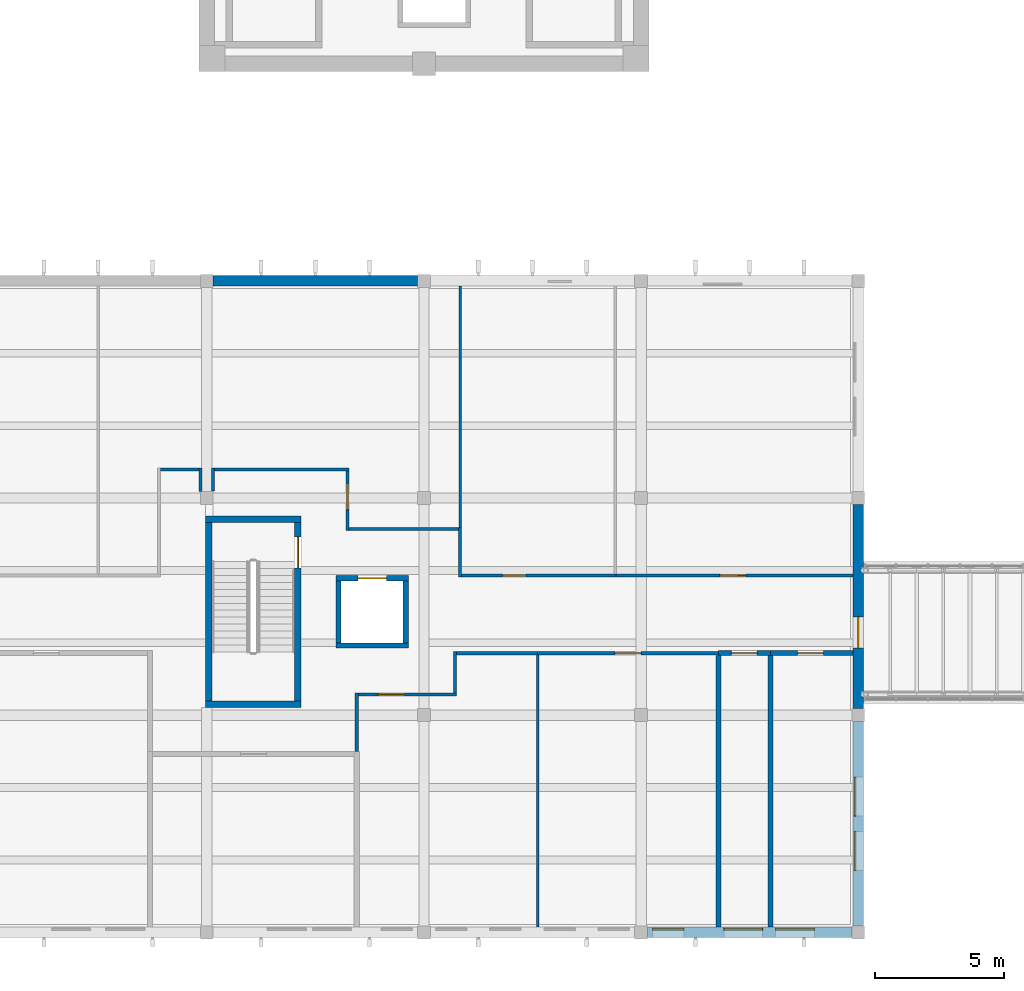
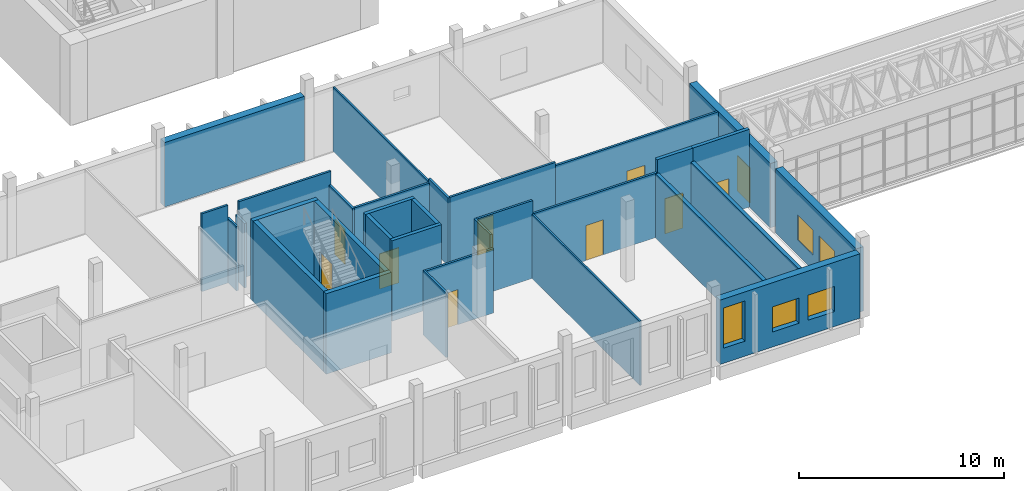
# One storey, part 59 of 119: 32 walls, 10 doors, 5 windows, 15 openings.
"""IFC4 building model written with IfcOpenShell, lengths in metres."""

from ifc_helpers import new_model, si_unit, direction, frame, frame_2d, origin, place, context, subcontext, project, spatial, rectangle, extrude, material, layer, layer_set, type_object, element, fill, save


model = new_model("IFC4")

# Units and contexts
model_context = context("Model", 3, precision=1e-05, world=origin(), true_north=direction((0.0, 1.0)))
body_context = subcontext(model_context, "Body", "Model", "MODEL_VIEW")
ifc_project = project(units=[si_unit("LENGTHUNIT", "METRE"), si_unit("AREAUNIT", "SQUARE_METRE"), si_unit("VOLUMEUNIT", "CUBIC_METRE"), si_unit("PLANEANGLEUNIT", "RADIAN"), si_unit("MASSUNIT", "GRAM", prefix="KILO")], contexts=[model_context])

# Site, building, storey
site_placement = place(None, origin())
site = spatial("IfcSite", under=ifc_project, at=site_placement, CompositionType="ELEMENT")
building_placement = place(site_placement, origin())
building = spatial("IfcBuilding", under=site, at=building_placement, Name="Larchfold Concert Hall", CompositionType="ELEMENT")
storey_placement = place(building_placement, frame((0.0, 0.0, 4.800048828125)))
storey = spatial("IfcBuildingStorey", under=building, at=storey_placement, Name="L01", CompositionType="ELEMENT", Elevation=4.800048828125)

# Wall
ifc_material_1 = material(Name="Plasterboard partition on steel studs", Category="steel")
ifc_layer_1 = layer(ifc_material_1, 0.199951171875)
ifc_layer_set_1 = layer_set([ifc_layer_1], Name="Plasterboard partition on steel studs")
wall_type_1 = type_object("IfcWallType", Name="Acoustic partition 200", PredefinedType="PARTITIONING", material=ifc_layer_set_1)
wall_1_placement = place(storey_placement, frame((56.0, 0.800048828125, 0.0), z_axis=(0.0, 0.0, 1.0), x_axis=(0.0, 1.0, 0.0)))
element("IfcWall", 1, at=wall_1_placement, inside=storey, type_object=wall_type_1, Name="Partition IW0092", PredefinedType="PARTITIONING", context=body_context, shape_type="SweptSolid", body=[
    extrude(rectangle(XDim=10.5, YDim=0.199951171875, at=frame_2d((5.25, 0.0))), origin(), (0.0, 0.0, 1.0), 3.840087890625),
])

# Wall, opening, door
wall_2_placement = place(storey_placement, frame((56.0, 11.39990234375, 0.0), z_axis=(0.0, 0.0, 1.0), x_axis=(1.0, 0.0, 0.0)))
wall_2 = element("IfcWall", 2, at=wall_2_placement, inside=storey, type_object=wall_type_1, Name="Partition IW0093", PredefinedType="PARTITIONING", context=body_context, shape_type="SweptSolid", body=[
    extrude(rectangle(XDim=3.199951171875, YDim=0.199951171875, at=frame_2d((1.60009765625, 0.0))), origin(), (0.0, 0.0, 1.0), 4.639892578125),
])
opening_1_placement = place(wall_2_placement, frame((1.050048828125, 0.0, 0.0)))
opening_1 = element("IfcOpeningElement", 3, at=opening_1_placement, cuts=wall_2, Name="Opening D-L01-143", PredefinedType="OPENING", context=body_context, shape_type="SweptSolid", body=[
    extrude(rectangle(XDim=1.0, YDim=2.10009765625, at=frame_2d((0.5, 1.050048828125))), frame((0.0, 0.10986328125, 0.0), z_axis=(0.0, -1.0, 0.0), x_axis=(1.0, 0.0, 0.0)), (0.0, 0.0, 1.0), 0.219970703125),
])
ifc_material_2 = material(Name="Timber door leaf", Category="wood")
door_type_1 = type_object("IfcDoorType", Name="Practice and studio door, acoustic 1000 x 2100 FD30S", OperationType="SINGLE_SWING_LEFT", PredefinedType="DOOR", material=ifc_material_2)
door_1_placement = place(opening_1_placement, origin())
door_1 = element("IfcDoor", 4, at=door_1_placement, inside=storey, type_object=door_type_1, Name="Door D-L01-143", OperationType="SINGLE_SWING_RIGHT", OverallHeight=2.10009765625, OverallWidth=1.0, PredefinedType="DOOR", context=body_context, shape_type="SweptSolid", body=[
    extrude(rectangle(XDim=1.0, YDim=2.10009765625, at=frame_2d((0.5, 1.050048828125))), frame((0.0, 0.02490234375, 0.0), z_axis=(0.0, -1.0, 0.0), x_axis=(1.0, 0.0, 0.0)), (0.0, 0.0, 1.0), 0.050048828125),
])
fill(opening_1, door_1)

# Wall
wall_3_placement = place(storey_placement, frame((54.0, 11.300048828125, 0.0), z_axis=(0.0, 0.0, 1.0), x_axis=(0.0, -1.0, 0.0)))
element("IfcWall", 5, at=wall_3_placement, inside=storey, type_object=wall_type_1, Name="Partition IW0116", PredefinedType="PARTITIONING", context=body_context, shape_type="SweptSolid", body=[
    extrude(rectangle(XDim=10.5, YDim=0.199951171875, at=frame_2d((5.25, 0.0))), origin(), (0.0, 0.0, 1.0), 3.840087890625),
])

# Wall, opening, door
wall_4_placement = place(storey_placement, frame((54.0, 11.39990234375, 0.0), z_axis=(0.0, 0.0, 1.0), x_axis=(1.0, 0.0, 0.0)))
wall_4 = element("IfcWall", 6, at=wall_4_placement, inside=storey, type_object=wall_type_1, Name="Partition IW0118", PredefinedType="PARTITIONING", context=body_context, shape_type="SweptSolid", body=[
    extrude(rectangle(XDim=2.0, YDim=0.199951171875, at=frame_2d((1.0, 0.0))), origin(), (0.0, 0.0, 1.0), 4.639892578125),
])
opening_2_placement = place(wall_4_placement, frame((0.490234375, 0.0, 0.0)))
opening_2 = element("IfcOpeningElement", 7, at=opening_2_placement, cuts=wall_4, Name="Opening D-L01-150", PredefinedType="OPENING", context=body_context, shape_type="SweptSolid", body=[
    extrude(rectangle(XDim=1.0, YDim=2.10009765625, at=frame_2d((0.5, 1.050048828125))), frame((0.0, 0.10986328125, 0.0), z_axis=(0.0, -1.0, 0.0), x_axis=(1.0, 0.0, 0.0)), (0.0, 0.0, 1.0), 0.219970703125),
])
door_2_placement = place(opening_2_placement, origin())
door_2 = element("IfcDoor", 8, at=door_2_placement, inside=storey, type_object=door_type_1, Name="Door D-L01-150", OperationType="SINGLE_SWING_RIGHT", OverallHeight=2.10009765625, OverallWidth=1.0, PredefinedType="DOOR", context=body_context, shape_type="SweptSolid", body=[
    extrude(rectangle(XDim=1.0, YDim=2.10009765625, at=frame_2d((0.5, 1.050048828125))), frame((0.0, 0.02490234375, 0.0), z_axis=(0.0, -1.0, 0.0), x_axis=(1.0, 0.0, 0.0)), (0.0, 0.0, 1.0), 0.050048828125),
])
fill(opening_2, door_2)

# Wall
ifc_material_3 = material(Name="Plasterboard partition on steel studs", Category="steel")
ifc_layer_2 = layer(ifc_material_3, 0.125)
ifc_layer_set_2 = layer_set([ifc_layer_2], Name="Plasterboard partition on steel studs")
wall_type_2 = type_object("IfcWallType", Name="Corridor partition 125 EI 60", PredefinedType="PARTITIONING", material=ifc_layer_set_2)
wall_5_placement = place(storey_placement, frame((40.0, 7.60009765625, 0.0), z_axis=(0.0, 0.0, 1.0), x_axis=(0.0, 1.0, 0.0)))
element("IfcWall", 9, at=wall_5_placement, inside=storey, type_object=wall_type_2, Name="Partition IW0112", PredefinedType="PARTITIONING", context=body_context, shape_type="SweptSolid", body=[
    extrude(rectangle(XDim=2.262451171875, YDim=0.125, at=frame_2d((1.13134765625, 0.0))), origin(), (0.0, 0.0, 1.0), 3.840087890625),
])

# Wall, opening, door
wall_6_placement = place(storey_placement, frame((40.0625, 9.800048828125, 0.0), z_axis=(0.0, 0.0, 1.0), x_axis=(1.0, 0.0, 0.0)))
wall_6 = element("IfcWall", 10, at=wall_6_placement, inside=storey, type_object=wall_type_2, Name="Partition IW0113", PredefinedType="PARTITIONING", context=body_context, shape_type="SweptSolid", body=[
    extrude(rectangle(XDim=3.800048828125, YDim=0.125, at=frame_2d((1.89990234375, 0.0))), origin(), (0.0, 0.0, 1.0), 3.840087890625),
])
opening_3_placement = place(wall_6_placement, frame((0.777587890625, 0.0, 0.0)))
opening_3 = element("IfcOpeningElement", 11, at=opening_3_placement, cuts=wall_6, Name="Opening D-L01-148", PredefinedType="OPENING", context=body_context, shape_type="SweptSolid", body=[
    extrude(rectangle(XDim=1.0, YDim=2.10009765625, at=frame_2d((0.5, 1.050048828125))), frame((0.0, 0.072509765625, 0.0), z_axis=(0.0, -1.0, 0.0), x_axis=(1.0, 0.0, 0.0)), (0.0, 0.0, 1.0), 0.14501953125),
])
ifc_material_4 = material(Name="Timber door leaf", Category="wood")
door_type_2 = type_object("IfcDoorType", Name="Room door 1000 x 2100 FD30S", OperationType="SINGLE_SWING_LEFT", PredefinedType="DOOR", material=ifc_material_4)
door_3_placement = place(opening_3_placement, origin())
door_3 = element("IfcDoor", 12, at=door_3_placement, inside=storey, type_object=door_type_2, Name="Door D-L01-148", OperationType="SINGLE_SWING_LEFT", OverallHeight=2.10009765625, OverallWidth=1.0, PredefinedType="DOOR", context=body_context, shape_type="SweptSolid", body=[
    extrude(rectangle(XDim=1.0, YDim=2.10009765625, at=frame_2d((0.5, 1.050048828125))), frame((0.0, 0.02490234375, 0.0), z_axis=(0.0, -1.0, 0.0), x_axis=(1.0, 0.0, 0.0)), (0.0, 0.0, 1.0), 0.050048828125),
])
fill(opening_3, door_3)

# Walls
wall_7_placement = place(storey_placement, frame((43.800048828125, 9.862548828125, 0.0), z_axis=(0.0, 0.0, 1.0), x_axis=(0.0, 1.0, 0.0)))
element("IfcWall", 13, at=wall_7_placement, inside=storey, type_object=wall_type_2, Name="Partition IW0114", PredefinedType="PARTITIONING", context=body_context, shape_type="SweptSolid", body=[
    extrude(rectangle(XDim=1.599853515625, YDim=0.125, at=frame_2d((0.7998046875, 0.0))), origin(), (0.0, 0.0, 1.0), 4.639892578125),
])
wall_8_placement = place(storey_placement, frame((43.862548828125, 11.39990234375, 0.0), z_axis=(0.0, 0.0, 1.0), x_axis=(1.0, 0.0, 0.0)))
element("IfcWall", 14, at=wall_8_placement, inside=storey, type_object=wall_type_2, Name="Partition IW0115", PredefinedType="PARTITIONING", context=body_context, shape_type="SweptSolid", body=[
    extrude(rectangle(XDim=3.137451171875, YDim=0.125, at=frame_2d((1.56884765625, 0.0))), origin(), (0.0, 0.0, 1.0), 4.639892578125),
])

# Wall, opening, door
wall_9_placement = place(storey_placement, frame((47.0, 11.39990234375, 0.0), z_axis=(0.0, 0.0, 1.0), x_axis=(1.0, 0.0, 0.0)))
wall_9 = element("IfcWall", 15, at=wall_9_placement, inside=storey, type_object=wall_type_2, Name="Partition IW0117", PredefinedType="PARTITIONING", context=body_context, shape_type="SweptSolid", body=[
    extrude(rectangle(XDim=7.0, YDim=0.125, at=frame_2d((3.5, 0.0))), origin(), (0.0, 0.0, 1.0), 3.840087890625),
])
opening_4_placement = place(wall_9_placement, frame((2.990478515625, 0.0, 0.0)))
opening_4 = element("IfcOpeningElement", 16, at=opening_4_placement, cuts=wall_9, Name="Opening D-L01-149", PredefinedType="OPENING", context=body_context, shape_type="SweptSolid", body=[
    extrude(rectangle(XDim=1.0, YDim=2.10009765625, at=frame_2d((0.5, 1.050048828125))), frame((0.0, 0.072509765625, 0.0), z_axis=(0.0, -1.0, 0.0), x_axis=(1.0, 0.0, 0.0)), (0.0, 0.0, 1.0), 0.14501953125),
])
door_4_placement = place(opening_4_placement, origin())
door_4 = element("IfcDoor", 17, at=door_4_placement, inside=storey, type_object=door_type_2, Name="Door D-L01-149", OperationType="SINGLE_SWING_LEFT", OverallHeight=2.10009765625, OverallWidth=1.0, PredefinedType="DOOR", context=body_context, shape_type="SweptSolid", body=[
    extrude(rectangle(XDim=1.0, YDim=2.10009765625, at=frame_2d((0.5, 1.050048828125))), frame((0.0, 0.02490234375, 0.0), z_axis=(0.0, -1.0, 0.0), x_axis=(1.0, 0.0, 0.0)), (0.0, 0.0, 1.0), 0.050048828125),
])
fill(opening_4, door_4)

# Wall
wall_10_placement = place(storey_placement, frame((44.0, 16.261474609375, 0.0), z_axis=(0.0, 0.0, 1.0), x_axis=(0.0, -1.0, 0.0)))
element("IfcWall", 18, at=wall_10_placement, inside=storey, type_object=wall_type_2, Name="Partition IW0122", PredefinedType="PARTITIONING", context=body_context, shape_type="SweptSolid", body=[
    extrude(rectangle(XDim=1.925048828125, YDim=0.125, at=frame_2d((0.96240234375, 0.0))), origin(), (0.0, 0.0, 1.0), 4.039794921875),
])

# Wall, opening, door
wall_11_placement = place(storey_placement, frame((44.0625, 14.39892578125, 0.0), z_axis=(0.0, 0.0, 1.0), x_axis=(1.0, 0.0, 0.0)))
wall_11 = element("IfcWall", 19, at=wall_11_placement, inside=storey, type_object=wall_type_2, Name="Partition IW0123", PredefinedType="PARTITIONING", context=body_context, shape_type="SweptSolid", body=[
    extrude(rectangle(XDim=5.95751953125, YDim=0.125, at=frame_2d((2.978759765625, 0.0))), origin(), (0.0, 0.0, 1.0), 4.039794921875),
])
opening_5_placement = place(wall_11_placement, frame((1.57763671875, 0.0, 0.0)))
opening_5 = element("IfcOpeningElement", 20, at=opening_5_placement, cuts=wall_11, Name="Opening D-L01-152", PredefinedType="OPENING", context=body_context, shape_type="SweptSolid", body=[
    extrude(rectangle(XDim=0.89990234375, YDim=2.10009765625, at=frame_2d((0.449951171875, 1.050048828125))), frame((0.0, 0.072509765625, 0.0), z_axis=(0.0, -1.0, 0.0), x_axis=(1.0, 0.0, 0.0)), (0.0, 0.0, 1.0), 0.14501953125),
])
ifc_material_5 = material(Name="Timber door leaf", Category="wood")
door_type_3 = type_object("IfcDoorType", Name="Public toilet door 900 x 2100 FD30S", OperationType="SINGLE_SWING_LEFT", PredefinedType="DOOR", material=ifc_material_5)
door_5_placement = place(opening_5_placement, origin())
door_5 = element("IfcDoor", 21, at=door_5_placement, inside=storey, type_object=door_type_3, Name="Door D-L01-152", OperationType="SINGLE_SWING_RIGHT", OverallHeight=2.10009765625, OverallWidth=0.89990234375, PredefinedType="DOOR", context=body_context, shape_type="SweptSolid", body=[
    extrude(rectangle(XDim=0.89990234375, YDim=2.10009765625, at=frame_2d((0.449951171875, 1.050048828125))), frame((0.0, 0.02490234375, 0.0), z_axis=(0.0, -1.0, 0.0), x_axis=(1.0, 0.0, 0.0)), (0.0, 0.0, 1.0), 0.050048828125),
])
fill(opening_5, door_5)

# Walls
wall_12_placement = place(storey_placement, frame((32.41357421875, 18.4990234375, 0.0), z_axis=(0.0, 0.0, 1.0), x_axis=(1.0, 0.0, 0.0)))
element("IfcWall", 22, at=wall_12_placement, inside=storey, type_object=wall_type_2, Name="Partition IW0126", PredefinedType="PARTITIONING", context=body_context, shape_type="SweptSolid", body=[
    extrude(rectangle(XDim=1.48388671875, YDim=0.125, at=frame_2d((0.741943359375, 0.0))), origin(), (0.0, 0.0, 1.0), 4.639892578125),
])
wall_13_placement = place(storey_placement, frame((33.9599609375, 18.5615234375, 0.0), z_axis=(0.0, 0.0, 1.0), x_axis=(0.0, -1.0, 0.0)))
element("IfcWall", 23, at=wall_13_placement, inside=storey, type_object=wall_type_2, Name="Partition IW0127", PredefinedType="PARTITIONING", context=body_context, shape_type="SweptSolid", body=[
    extrude(rectangle(XDim=0.91162109375, YDim=0.125, at=frame_2d((0.455810546875, 0.0))), origin(), (0.0, 0.0, 1.0), 3.840087890625),
])
wall_14_placement = place(storey_placement, frame((34.43798828125, 17.669921875, 0.0), z_axis=(0.0, 0.0, 1.0), x_axis=(0.002464395583, 0.999996963373, 0.0)))
element("IfcWall", 24, at=wall_14_placement, inside=storey, type_object=wall_type_2, Name="Partition IW0128", PredefinedType="PARTITIONING", context=body_context, shape_type="SweptSolid", body=[
    extrude(rectangle(XDim=0.8916015625, YDim=0.125, at=frame_2d((0.44580078125, 0.0))), origin(), (0.0, 0.0, 1.0), 3.840087890625),
])
wall_15_placement = place(storey_placement, frame((34.50244140625, 18.4990234375, 0.0), z_axis=(0.0, 0.0, 1.0), x_axis=(1.0, 0.0, 0.0)))
element("IfcWall", 25, at=wall_15_placement, inside=storey, type_object=wall_type_2, Name="Partition IW0129", PredefinedType="PARTITIONING", context=body_context, shape_type="SweptSolid", body=[
    extrude(rectangle(XDim=5.208984375, YDim=0.125, at=frame_2d((2.6044921875, 0.0))), origin(), (0.0, 0.0, 1.0), 4.639892578125),
])

# Wall, opening, door
wall_16_placement = place(storey_placement, frame((39.64892578125, 18.4365234375, 0.0), z_axis=(0.0, 0.0, 1.0), x_axis=(0.0, -1.0, 0.0)))
wall_16 = element("IfcWall", 26, at=wall_16_placement, inside=storey, type_object=wall_type_2, Name="Partition IW0130", PredefinedType="PARTITIONING", context=body_context, shape_type="SweptSolid", body=[
    extrude(rectangle(XDim=2.300048828125, YDim=0.125, at=frame_2d((1.14990234375, 0.0))), origin(), (0.0, 0.0, 1.0), 3.840087890625),
])
opening_6_placement = place(wall_16_placement, frame((0.4814453125, 0.0, 0.0)))
opening_6 = element("IfcOpeningElement", 27, at=opening_6_placement, cuts=wall_16, Name="Opening D-L01-153", PredefinedType="OPENING", context=body_context, shape_type="SweptSolid", body=[
    extrude(rectangle(XDim=1.0, YDim=2.10009765625, at=frame_2d((0.5, 1.050048828125))), frame((0.0, 0.072509765625, 0.0), z_axis=(0.0, -1.0, 0.0), x_axis=(1.0, 0.0, 0.0)), (0.0, 0.0, 1.0), 0.14501953125),
])
door_6_placement = place(opening_6_placement, origin())
door_6 = element("IfcDoor", 28, at=door_6_placement, inside=storey, type_object=door_type_2, Name="Door D-L01-153", OperationType="SINGLE_SWING_LEFT", OverallHeight=2.10009765625, OverallWidth=1.0, PredefinedType="DOOR", context=body_context, shape_type="SweptSolid", body=[
    extrude(rectangle(XDim=1.0, YDim=2.10009765625, at=frame_2d((0.5, 1.050048828125))), frame((0.0, 0.02490234375, 0.0), z_axis=(0.0, -1.0, 0.0), x_axis=(1.0, 0.0, 0.0)), (0.0, 0.0, 1.0), 0.050048828125),
])
fill(opening_6, door_6)

# Wall
wall_17_placement = place(storey_placement, frame((39.71142578125, 16.198974609375, 0.0), z_axis=(0.0, 0.0, 1.0), x_axis=(1.0, 0.0, 0.0)))
element("IfcWall", 29, at=wall_17_placement, inside=storey, type_object=wall_type_2, Name="Partition IW0131", PredefinedType="PARTITIONING", context=body_context, shape_type="SweptSolid", body=[
    extrude(rectangle(XDim=4.22607421875, YDim=0.125, at=frame_2d((2.113037109375, 0.0))), origin(), (0.0, 0.0, 1.0), 3.840087890625),
])

# Wall, opening, door
wall_18_placement = place(storey_placement, frame((50.02001953125, 14.39892578125, 0.0), z_axis=(0.0, 0.0, 1.0), x_axis=(0.999999994342, 0.000106380149, 0.0)))
wall_18 = element("IfcWall", 30, at=wall_18_placement, inside=storey, type_object=wall_type_2, Name="Partition IW0141", PredefinedType="PARTITIONING", context=body_context, shape_type="SweptSolid", body=[
    extrude(rectangle(XDim=9.179931640625, YDim=0.125, at=frame_2d((4.58984375, 0.0))), origin(), (0.0, 0.0, 1.0), 3.840087890625),
])
opening_7_placement = place(wall_18_placement, frame((4.0302734375, 0.0, 0.0)))
opening_7 = element("IfcOpeningElement", 31, at=opening_7_placement, cuts=wall_18, Name="Opening D-L01-156", PredefinedType="OPENING", context=body_context, shape_type="SweptSolid", body=[
    extrude(rectangle(XDim=1.0, YDim=2.10009765625, at=frame_2d((0.5, 1.050048828125))), frame((0.0, 0.072509765625, 0.0), z_axis=(0.0, -1.0, 0.0), x_axis=(1.0, 0.0, 0.0)), (0.0, 0.0, 1.0), 0.14501953125),
])
door_7_placement = place(opening_7_placement, origin())
door_7 = element("IfcDoor", 32, at=door_7_placement, inside=storey, type_object=door_type_2, Name="Door D-L01-156", OperationType="SINGLE_SWING_RIGHT", OverallHeight=2.10009765625, OverallWidth=1.0, PredefinedType="DOOR", context=body_context, shape_type="SweptSolid", body=[
    extrude(rectangle(XDim=1.0, YDim=2.10009765625, at=frame_2d((0.5, 1.050048828125))), frame((0.0, 0.02490234375, 0.0), z_axis=(0.0, -1.0, 0.0), x_axis=(1.0, 0.0, 0.0)), (0.0, 0.0, 1.0), 0.050048828125),
])
fill(opening_7, door_7)

# Wall, openings, windows
ifc_material_6 = material(Name="Larch cladding on mineral wool and CLT", Category="wood")
ifc_layer_3 = layer(ifc_material_6, 0.39990234375)
ifc_layer_set_3 = layer_set([ifc_layer_3], Name="Larch cladding on mineral wool and CLT")
wall_type_3 = type_object("IfcWallType", Name="Larch clad infill wall 400", PredefinedType="SOLIDWALL", material=ifc_layer_set_3)
wall_19_placement = place(storey_placement, frame((59.39990234375, 0.85009765625, 0.0), z_axis=(0.0, 0.0, 1.0), x_axis=(0.0, 1.0, 0.0)))
wall_19 = element("IfcWall", 33, at=wall_19_placement, inside=storey, type_object=wall_type_3, Name="Infill wall W5014", PredefinedType="SOLIDWALL", context=body_context, shape_type="SweptSolid", body=[
    extrude(rectangle(XDim=7.89990234375, YDim=0.39990234375, at=frame_2d((3.949951171875, 0.0))), origin(), (0.0, 0.0, 1.0), 3.840087890625),
])
opening_8_placement = place(wall_19_placement, frame((2.14990234375, 0.0, 0.89990234375)))
opening_8 = element("IfcOpeningElement", 34, at=opening_8_placement, cuts=wall_19, Name="Opening WN-L01-001", PredefinedType="OPENING", context=body_context, shape_type="SweptSolid", body=[
    extrude(rectangle(XDim=1.5, YDim=1.5, at=frame_2d((0.75, 0.75))), frame((0.0, 0.2099609375, 0.0), z_axis=(0.0, -1.0, 0.0), x_axis=(1.0, 0.0, 0.0)), (0.0, 0.0, 1.0), 0.419921875),
])
opening_9_placement = place(wall_19_placement, frame((4.25, 0.0, 0.89990234375)))
opening_9 = element("IfcOpeningElement", 35, at=opening_9_placement, cuts=wall_19, Name="Opening WN-L01-002", PredefinedType="OPENING", context=body_context, shape_type="SweptSolid", body=[
    extrude(rectangle(XDim=1.5, YDim=1.5, at=frame_2d((0.75, 0.75))), frame((0.0, 0.2099609375, 0.0), z_axis=(0.0, -1.0, 0.0), x_axis=(1.0, 0.0, 0.0)), (0.0, 0.0, 1.0), 0.419921875),
])
ifc_material_7 = material(Name="Anodised graphite aluminium frame with glass", Category="aluminium")
window_type_1 = type_object("IfcWindowType", Name="Studio window 1500x1500", PartitioningType="DOUBLE_PANEL_VERTICAL", PredefinedType="WINDOW", material=ifc_material_7)
window_1_placement = place(opening_8_placement, origin())
window_1 = element("IfcWindow", 36, at=window_1_placement, inside=storey, type_object=window_type_1, Name="Window WN-L01-001", OverallHeight=1.5, OverallWidth=1.5, PartitioningType="DOUBLE_PANEL_VERTICAL", PredefinedType="WINDOW", context=body_context, shape_type="SweptSolid", body=[
    extrude(rectangle(XDim=1.5, YDim=1.5, at=frame_2d((0.75, 0.75))), frame((0.0, 0.150146484375, 0.0), z_axis=(0.0, -1.0, 0.0), x_axis=(1.0, 0.0, 0.0)), (0.0, 0.0, 1.0), 0.06005859375),
])
fill(opening_8, window_1)
window_2_placement = place(opening_9_placement, origin())
window_2 = element("IfcWindow", 37, at=window_2_placement, inside=storey, type_object=window_type_1, Name="Window WN-L01-002", OverallHeight=1.5, OverallWidth=1.5, PartitioningType="DOUBLE_PANEL_VERTICAL", PredefinedType="WINDOW", context=body_context, shape_type="SweptSolid", body=[
    extrude(rectangle(XDim=1.5, YDim=1.5, at=frame_2d((0.75, 0.75))), frame((0.0, 0.150146484375, 0.0), z_axis=(0.0, -1.0, 0.0), x_axis=(1.0, 0.0, 0.0)), (0.0, 0.0, 1.0), 0.06005859375),
])
fill(opening_9, window_2)

# Wall, opening, door
wall_20_placement = place(storey_placement, frame((59.39990234375, 9.25, 0.0), z_axis=(0.0, 0.0, 1.0), x_axis=(0.0, 1.0, 0.0)))
wall_20 = element("IfcWall", 38, at=wall_20_placement, inside=storey, type_object=wall_type_3, Name="Infill wall W5015", PredefinedType="SOLIDWALL", context=body_context, shape_type="SweptSolid", body=[
    extrude(rectangle(XDim=7.89990234375, YDim=0.39990234375, at=frame_2d((3.949951171875, 0.0))), origin(), (0.0, 0.0, 1.0), 3.840087890625),
])
opening_10_placement = place(wall_20_placement, frame((2.35009765625, 0.0, 0.0)))
opening_10 = element("IfcOpeningElement", 39, at=opening_10_placement, cuts=wall_20, Name="Opening D-L01-203", PredefinedType="OPENING", context=body_context, shape_type="SweptSolid", body=[
    extrude(rectangle(XDim=1.199951171875, YDim=2.10009765625, at=frame_2d((0.60009765625, 1.050048828125))), frame((0.0, 0.2099609375, 0.0), z_axis=(0.0, -1.0, 0.0), x_axis=(1.0, 0.0, 0.0)), (0.0, 0.0, 1.0), 0.419921875),
])
ifc_material_8 = material(Name="Anodised graphite aluminium door leaf", Category="aluminium")
door_type_4 = type_object("IfcDoorType", Name="Smoke door double 1200x2100", OperationType="DOUBLE_DOOR_SINGLE_SWING", PredefinedType="DOOR", material=ifc_material_8)
door_8_placement = place(opening_10_placement, origin())
door_8 = element("IfcDoor", 40, at=door_8_placement, inside=storey, type_object=door_type_4, Name="Door D-L01-203", OperationType="DOUBLE_DOOR_SINGLE_SWING", OverallHeight=2.10009765625, OverallWidth=1.199951171875, PredefinedType="DOOR", context=body_context, shape_type="SweptSolid", body=[
    extrude(rectangle(XDim=1.199951171875, YDim=2.10009765625, at=frame_2d((0.60009765625, 1.050048828125))), frame((0.0, 0.02490234375, 0.0), z_axis=(0.0, -1.0, 0.0), x_axis=(1.0, 0.0, 0.0)), (0.0, 0.0, 1.0), 0.050048828125),
])
fill(opening_10, door_8)

# Wall
wall_21_placement = place(storey_placement, frame((42.35009765625, 25.800048828125, 0.0), z_axis=(0.0, 0.0, 1.0), x_axis=(-1.0, 0.0, 0.0)))
element("IfcWall", 41, at=wall_21_placement, inside=storey, type_object=wall_type_3, Name="Infill wall W5019", PredefinedType="SOLIDWALL", context=body_context, shape_type="SweptSolid", body=[
    extrude(rectangle(XDim=7.900146484375, YDim=0.39990234375, at=frame_2d((3.9501953125, 0.0))), origin(), (0.0, 0.0, 1.0), 3.840087890625),
])

# Wall, openings, windows
wall_22_placement = place(storey_placement, frame((51.25, 0.60009765625, 0.0), z_axis=(0.0, 0.0, 1.0), x_axis=(1.0, 0.0, 0.0)))
wall_22 = element("IfcWall", 42, at=wall_22_placement, inside=storey, type_object=wall_type_3, Name="Infill wall W5033", PredefinedType="SOLIDWALL", context=body_context, shape_type="SweptSolid", body=[
    extrude(rectangle(XDim=7.89990234375, YDim=0.39990234375, at=frame_2d((3.949951171875, 0.0))), origin(), (0.0, 0.0, 1.0), 3.840087890625),
])
opening_11_placement = place(wall_22_placement, frame((0.199951171875, 0.0, 0.89990234375)))
opening_11 = element("IfcOpeningElement", 43, at=opening_11_placement, cuts=wall_22, Name="Opening WN-L01-031", PredefinedType="OPENING", context=body_context, shape_type="SweptSolid", body=[
    extrude(rectangle(XDim=1.199951171875, YDim=2.39990234375, at=frame_2d((0.60009765625, 1.199951171875))), frame((0.0, 0.2099609375, 0.0), z_axis=(0.0, -1.0, 0.0), x_axis=(1.0, 0.0, 0.0)), (0.0, 0.0, 1.0), 0.419921875),
])
opening_12_placement = place(wall_22_placement, frame((2.954833984375, 0.0, 0.89990234375)))
opening_12 = element("IfcOpeningElement", 44, at=opening_12_placement, cuts=wall_22, Name="Opening WN-L01-032", PredefinedType="OPENING", context=body_context, shape_type="SweptSolid", body=[
    extrude(rectangle(XDim=1.5, YDim=1.5, at=frame_2d((0.75, 0.75))), frame((0.0, 0.2099609375, 0.0), z_axis=(0.0, -1.0, 0.0), x_axis=(1.0, 0.0, 0.0)), (0.0, 0.0, 1.0), 0.419921875),
])
opening_13_placement = place(wall_22_placement, frame((4.954833984375, 0.0, 0.89990234375)))
opening_13 = element("IfcOpeningElement", 45, at=opening_13_placement, cuts=wall_22, Name="Opening WN-L01-033", PredefinedType="OPENING", context=body_context, shape_type="SweptSolid", body=[
    extrude(rectangle(XDim=1.5, YDim=1.5, at=frame_2d((0.75, 0.75))), frame((0.0, 0.2099609375, 0.0), z_axis=(0.0, -1.0, 0.0), x_axis=(1.0, 0.0, 0.0)), (0.0, 0.0, 1.0), 0.419921875),
])
ifc_material_9 = material(Name="Anodised graphite aluminium frame with glass", Category="aluminium")
window_type_2 = type_object("IfcWindowType", Name="Slot window 1200x2400", PartitioningType="SINGLE_PANEL", PredefinedType="WINDOW", material=ifc_material_9)
window_3_placement = place(opening_11_placement, origin())
window_3 = element("IfcWindow", 46, at=window_3_placement, inside=storey, type_object=window_type_2, Name="Window WN-L01-031", OverallHeight=2.39990234375, OverallWidth=1.199951171875, PartitioningType="SINGLE_PANEL", PredefinedType="WINDOW", context=body_context, shape_type="SweptSolid", body=[
    extrude(rectangle(XDim=1.199951171875, YDim=2.39990234375, at=frame_2d((0.60009765625, 1.199951171875))), frame((0.0, 0.150146484375, 0.0), z_axis=(0.0, -1.0, 0.0), x_axis=(1.0, 0.0, 0.0)), (0.0, 0.0, 1.0), 0.06005859375),
])
fill(opening_11, window_3)
window_4_placement = place(opening_12_placement, origin())
window_4 = element("IfcWindow", 47, at=window_4_placement, inside=storey, type_object=window_type_1, Name="Window WN-L01-032", OverallHeight=1.5, OverallWidth=1.5, PartitioningType="DOUBLE_PANEL_VERTICAL", PredefinedType="WINDOW", context=body_context, shape_type="SweptSolid", body=[
    extrude(rectangle(XDim=1.5, YDim=1.5, at=frame_2d((0.75, 0.75))), frame((0.0, 0.150146484375, 0.0), z_axis=(0.0, -1.0, 0.0), x_axis=(1.0, 0.0, 0.0)), (0.0, 0.0, 1.0), 0.06005859375),
])
fill(opening_12, window_4)
window_5_placement = place(opening_13_placement, origin())
window_5 = element("IfcWindow", 48, at=window_5_placement, inside=storey, type_object=window_type_1, Name="Window WN-L01-033", OverallHeight=1.5, OverallWidth=1.5, PartitioningType="DOUBLE_PANEL_VERTICAL", PredefinedType="WINDOW", context=body_context, shape_type="SweptSolid", body=[
    extrude(rectangle(XDim=1.5, YDim=1.5, at=frame_2d((0.75, 0.75))), frame((0.0, 0.150146484375, 0.0), z_axis=(0.0, -1.0, 0.0), x_axis=(1.0, 0.0, 0.0)), (0.0, 0.0, 1.0), 0.06005859375),
])
fill(opening_13, window_5)

# Walls
ifc_material_10 = material(Name="Plasterboard partition on steel studs", Category="steel")
ifc_layer_4 = layer(ifc_material_10, 0.10009765625)
ifc_layer_set_4 = layer_set([ifc_layer_4], Name="Plasterboard partition on steel studs")
wall_type_4 = type_object("IfcWallType", Name="Stud partition 100", PredefinedType="PARTITIONING", material=ifc_layer_set_4)
wall_23_placement = place(storey_placement, frame((47.0, 11.33740234375, 0.0), z_axis=(0.0, 0.0, 1.0), x_axis=(0.0, -1.0, 0.0)))
element("IfcWall", 49, at=wall_23_placement, inside=storey, type_object=wall_type_4, Name="Partition IW0111", PredefinedType="PARTITIONING", context=body_context, shape_type="SweptSolid", body=[
    extrude(rectangle(XDim=10.537353515625, YDim=0.10009765625, at=frame_2d((5.2685546875, 0.0))), origin(), (0.0, 0.0, 1.0), 3.840087890625),
])
wall_24_placement = place(storey_placement, frame((44.0, 16.263916015625, 0.0), z_axis=(0.0, 0.0, 1.0), x_axis=(0.0, 1.0, 0.0)))
element("IfcWall", 50, at=wall_24_placement, inside=storey, type_object=wall_type_4, Name="Partition IW0144", PredefinedType="PARTITIONING", context=body_context, shape_type="SweptSolid", body=[
    extrude(rectangle(XDim=9.336181640625, YDim=0.10009765625, at=frame_2d((4.66796875, 0.0))), origin(), (0.0, 0.0, 1.0), 3.840087890625),
])
ifc_material_11 = material(Name="Concrete C40/50", Category="concrete")
ifc_layer_5 = layer(ifc_material_11, 0.199951171875)
ifc_layer_set_5 = layer_set([ifc_layer_5], Name="Concrete C40/50")
wall_type_5 = type_object("IfcWallType", Name="Wall RC 200 lift shaft", PredefinedType="SOLIDWALL", material=ifc_layer_set_5)
wall_25_placement = place(storey_placement, frame((39.199951171875, 11.7001953125, 0.0), z_axis=(0.0, 0.0, 1.0), x_axis=(1.0, 0.0, 0.0)))
element("IfcWall", 51, at=wall_25_placement, inside=storey, type_object=wall_type_5, Name="Wall W0184", PredefinedType="SOLIDWALL", context=body_context, shape_type="SweptSolid", body=[
    extrude(rectangle(XDim=2.800048828125, YDim=0.199951171875, at=frame_2d((1.39990234375, 0.0))), origin(), (0.0, 0.0, 1.0), 4.800048828125),
])

# Wall, opening, door
wall_26_placement = place(storey_placement, frame((39.199951171875, 14.2998046875, 0.0), z_axis=(0.0, 0.0, 1.0), x_axis=(1.0, 0.0, 0.0)))
wall_26 = element("IfcWall", 52, at=wall_26_placement, inside=storey, type_object=wall_type_5, Name="Wall W0185", PredefinedType="SOLIDWALL", context=body_context, shape_type="SweptSolid", body=[
    extrude(rectangle(XDim=2.800048828125, YDim=0.199951171875, at=frame_2d((1.39990234375, 0.0))), origin(), (0.0, 0.0, 1.0), 4.800048828125),
])
opening_14_placement = place(wall_26_placement, frame((0.85009765625, 0.0, 0.0)))
opening_14 = element("IfcOpeningElement", 53, at=opening_14_placement, cuts=wall_26, Name="Opening LD-LF11", PredefinedType="OPENING", context=body_context, shape_type="SweptSolid", body=[
    extrude(rectangle(XDim=1.10009765625, YDim=2.10009765625, at=frame_2d((0.550048828125, 1.050048828125))), frame((0.0, 0.10986328125, 0.0), z_axis=(0.0, -1.0, 0.0), x_axis=(1.0, 0.0, 0.0)), (0.0, 0.0, 1.0), 0.219970703125),
])
ifc_material_12 = material(Name="Stainless steel sliding leaves", Category="steel")
door_type_5 = type_object("IfcDoorType", Name="Lift landing door sliding 1100 x 2100", OperationType="SLIDING_TO_LEFT", PredefinedType="DOOR", material=ifc_material_12)
door_9_placement = place(opening_14_placement, origin())
door_9 = element("IfcDoor", 54, at=door_9_placement, inside=storey, type_object=door_type_5, Name="Lift landing door LF11", OperationType="SLIDING_TO_LEFT", OverallHeight=2.10009765625, OverallWidth=1.10009765625, PredefinedType="DOOR", context=body_context, shape_type="SweptSolid", body=[
    extrude(rectangle(XDim=1.10009765625, YDim=2.10009765625, at=frame_2d((0.550048828125, 1.050048828125))), frame((0.0, 0.02490234375, 0.0), z_axis=(0.0, -1.0, 0.0), x_axis=(1.0, 0.0, 0.0)), (0.0, 0.0, 1.0), 0.050048828125),
])
fill(opening_14, door_9)

# Walls
for number, where, z_axis, x_axis, name in (
    (55, (39.300048828125, 11.800048828125, 0.0), (0.0, 0.0, 1.0), (0.0, 1.0, 0.0), "Wall W0186"),
    (56, (41.89990234375, 11.800048828125, 0.0), (0.0, 0.0, 1.0), (0.0, 1.0, 0.0), "Wall W0187"),
):
    element("IfcWall", number, at=place(storey_placement, frame(where, z_axis=z_axis, x_axis=x_axis)), inside=storey, type_object=wall_type_5, Name=name, PredefinedType="SOLIDWALL", context=body_context, shape_type="SweptSolid", body=[
        extrude(rectangle(XDim=2.39990234375, YDim=0.199951171875, at=frame_2d((1.199951171875, 0.0))), origin(), (0.0, 0.0, 1.0), 4.800048828125),
    ])
ifc_material_13 = material(Name="Concrete C40/50", Category="concrete")
ifc_layer_6 = layer(ifc_material_13, 0.25)
ifc_layer_set_6 = layer_set([ifc_layer_6], Name="Concrete C40/50")
wall_type_6 = type_object("IfcWallType", Name="Wall RC 250 stair core", PredefinedType="SOLIDWALL", material=ifc_layer_set_6)
for number, where, z_axis, x_axis, name in (
    (57, (34.14990234375, 9.425048828125, 0.0), (0.0, 0.0, 1.0), (1.0, 0.0, 0.0), "Wall W0116"),
    (58, (34.14990234375, 16.574951171875, 0.0), (0.0, 0.0, 1.0), (1.0, 0.0, 0.0), "Wall W0117"),
):
    element("IfcWall", number, at=place(storey_placement, frame(where, z_axis=z_axis, x_axis=x_axis)), inside=storey, type_object=wall_type_6, Name=name, PredefinedType="SOLIDWALL", context=body_context, shape_type="SweptSolid", body=[
        extrude(rectangle(XDim=3.7001953125, YDim=0.25, at=frame_2d((1.85009765625, 0.0))), origin(), (0.0, 0.0, 1.0), 4.800048828125),
    ])
wall_27_placement = place(storey_placement, frame((34.27490234375, 9.550048828125, 0.0), z_axis=(0.0, 0.0, 1.0), x_axis=(0.0, 1.0, 0.0)))
element("IfcWall", 59, at=wall_27_placement, inside=storey, type_object=wall_type_6, Name="Wall W0118", PredefinedType="SOLIDWALL", context=body_context, shape_type="SweptSolid", body=[
    extrude(rectangle(XDim=6.89990234375, YDim=0.25, at=frame_2d((3.449951171875, 0.0))), origin(), (0.0, 0.0, 1.0), 4.800048828125),
])

# Wall, opening, door
wall_28_placement = place(storey_placement, frame((37.72509765625, 9.550048828125, 0.0), z_axis=(0.0, 0.0, 1.0), x_axis=(0.0, 1.0, 0.0)))
wall_28 = element("IfcWall", 60, at=wall_28_placement, inside=storey, type_object=wall_type_6, Name="Wall W0119", PredefinedType="SOLIDWALL", context=body_context, shape_type="SweptSolid", body=[
    extrude(rectangle(XDim=6.89990234375, YDim=0.25, at=frame_2d((3.449951171875, 0.0))), origin(), (0.0, 0.0, 1.0), 4.800048828125),
])
opening_15_placement = place(wall_28_placement, frame((5.14990234375, 0.0, 0.0)))
opening_15 = element("IfcOpeningElement", 61, at=opening_15_placement, cuts=wall_28, Name="Opening D-L01-182", PredefinedType="OPENING", context=body_context, shape_type="SweptSolid", body=[
    extrude(rectangle(XDim=1.199951171875, YDim=2.10009765625, at=frame_2d((0.60009765625, 1.050048828125))), frame((0.0, 0.135009765625, 0.0), z_axis=(0.0, -1.0, 0.0), x_axis=(1.0, 0.0, 0.0)), (0.0, 0.0, 1.0), 0.27001953125),
])
ifc_material_14 = material(Name="Timber door leaf", Category="wood")
door_type_6 = type_object("IfcDoorType", Name="Stair enclosure door pair 1200 x 2100 FD60", OperationType="SINGLE_SWING_LEFT", PredefinedType="DOOR", material=ifc_material_14)
door_10_placement = place(opening_15_placement, origin())
door_10 = element("IfcDoor", 62, at=door_10_placement, inside=storey, type_object=door_type_6, Name="Door D-L01-182", OperationType="DOUBLE_DOOR_SINGLE_SWING", OverallHeight=2.10009765625, OverallWidth=1.199951171875, PredefinedType="DOOR", context=body_context, shape_type="SweptSolid", body=[
    extrude(rectangle(XDim=1.199951171875, YDim=2.10009765625, at=frame_2d((0.60009765625, 1.050048828125))), frame((0.0, 0.02490234375, 0.0), z_axis=(0.0, -1.0, 0.0), x_axis=(1.0, 0.0, 0.0)), (0.0, 0.0, 1.0), 0.050048828125),
])
fill(opening_15, door_10)

save(model, "model.ifc")
